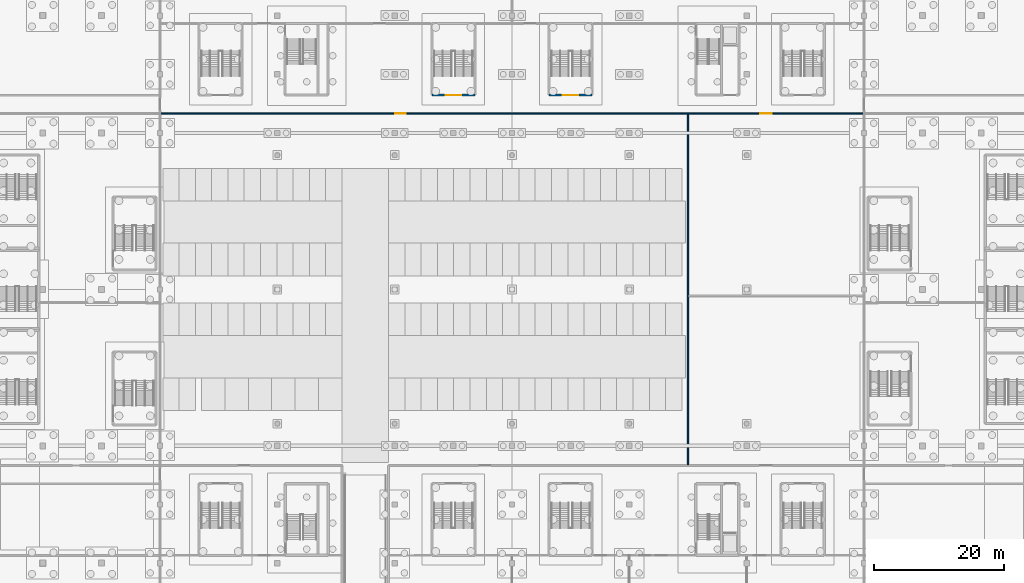
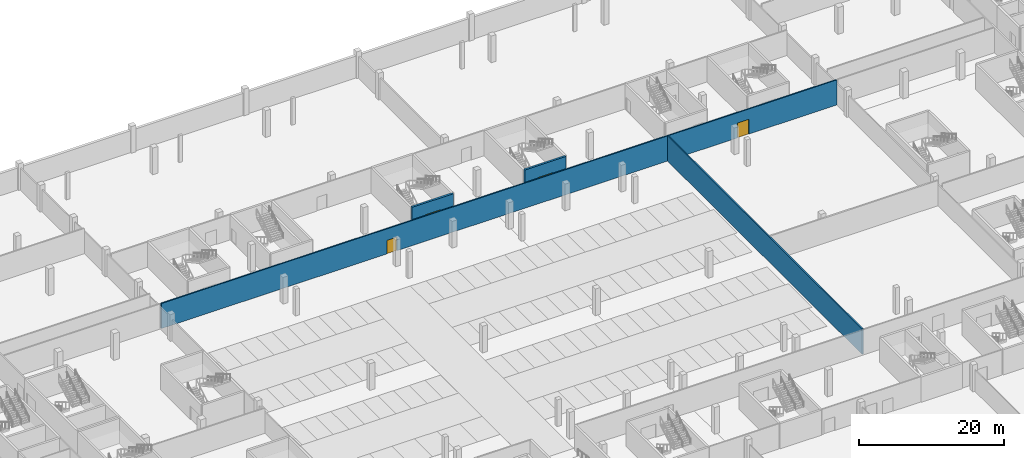
# One storey, part 19 of 46: 4 doors, 4 walls, 4 openings.
"""IFC4 building model written with IfcOpenShell, lengths in metres."""

from ifc_helpers import new_model, si_unit, direction, frame, frame_2d, origin, place, context, subcontext, project, spatial, rectangle, extrude, material, layer, layer_set, type_object, element, fill, save


model = new_model("IFC4")

# Units and contexts
model_context = context("Model", 3, precision=1e-05, world=origin(), true_north=direction((0.0, 1.0)))
body_context = subcontext(model_context, "Body", "Model", "MODEL_VIEW")
ifc_project = project(units=[si_unit("LENGTHUNIT", "METRE"), si_unit("AREAUNIT", "SQUARE_METRE"), si_unit("VOLUMEUNIT", "CUBIC_METRE"), si_unit("PLANEANGLEUNIT", "RADIAN"), si_unit("MASSUNIT", "GRAM", prefix="KILO")], contexts=[model_context])

# Site, building, storey
site_placement = place(None, origin())
site = spatial("IfcSite", under=ifc_project, at=site_placement, CompositionType="ELEMENT")
building_placement = place(site_placement, origin())
building = spatial("IfcBuilding", under=site, at=building_placement, Name="Kisiwana Market Hall", CompositionType="ELEMENT")
storey_placement = place(building_placement, frame((0.0, 0.0, -4.5)))
storey = spatial("IfcBuildingStorey", under=building, at=storey_placement, Name="B1", CompositionType="ELEMENT", Elevation=-4.5)

# Wall
ifc_material_1 = material(Name="Steel S275", Category="steel")
ifc_layer_1 = layer(ifc_material_1, 0.010009765625, Name="Food-grade steel inner skin")
ifc_material_2 = material(Name="PIR insulation")
ifc_layer_2 = layer(ifc_material_2, 0.199951171875, Name="High-density PIR thermal core")
ifc_material_3 = material(Name="Steel S275", Category="steel")
ifc_layer_3 = layer(ifc_material_3, 0.010009765625, Name="Food-grade steel outer skin")
ifc_layer_set_1 = layer_set([ifc_layer_1, ifc_layer_2, ifc_layer_3], Name="WL-COLD-220")
wall_type_1 = type_object("IfcWallType", Name="WL-COLD-220", PredefinedType="PARTITIONING", material=ifc_layer_set_1)
wall_1_placement = place(storey_placement, frame((126.0, 33.10009765625, 0.0), z_axis=(0.0, 0.0, 1.0), x_axis=(0.0, 1.0, 0.0)))
element("IfcWall", 1, at=wall_1_placement, inside=storey, type_object=wall_type_1, Name="Interior partition W-0280", PredefinedType="PARTITIONING", context=body_context, shape_type="SweptSolid", body=[
    extrude(rectangle(XDim=53.7998046875, YDim=0.219970703125, at=frame_2d((26.89990234375, 0.0))), origin(), (0.0, 0.0, 1.0), 4.239990234375),
])

# Wall, openings, doors
ifc_material_4 = material(Name="Masonry blockwork", Category="masonry")
ifc_layer_4 = layer(ifc_material_4, 0.199951171875, Name="Plastered fire compartment block wall")
ifc_layer_set_2 = layer_set([ifc_layer_4], Name="WL-COMP-200")
wall_type_2 = type_object("IfcWallType", Name="WL-COMP-200", PredefinedType="PARTITIONING", material=ifc_layer_set_2)
wall_2_placement = place(storey_placement, frame((45.0849609375, 87.0, 0.0), z_axis=(0.0, 0.0, 1.0), x_axis=(1.0, 0.0, 0.0)))
wall_2 = element("IfcWall", 2, at=wall_2_placement, inside=storey, type_object=wall_type_2, Name="Interior partition W-0284", PredefinedType="PARTITIONING", context=body_context, shape_type="SweptSolid", body=[
    extrude(rectangle(XDim=107.830078125, YDim=0.199951171875, at=frame_2d((53.9150390625, 0.0))), origin(), (0.0, 0.0, 1.0), 4.239990234375),
])
opening_1_placement = place(wall_2_placement, frame((36.0, 0.0, 0.0)))
opening_1 = element("IfcOpeningElement", 3, at=opening_1_placement, cuts=wall_2, Name="Opening DR-B1-088", PredefinedType="OPENING", context=body_context, shape_type="SweptSolid", body=[
    extrude(rectangle(XDim=1.60009765625, YDim=2.300048828125, at=frame_2d((0.800048828125, 1.14990234375))), frame((0.0, 0.11181640625, 0.0), z_axis=(0.0, -1.0, 0.0), x_axis=(1.0, 0.0, 0.0)), (0.0, 0.0, 1.0), 0.223876953125),
])
opening_2_placement = place(wall_2_placement, frame((92.0, 0.0, 0.0)))
opening_2 = element("IfcOpeningElement", 4, at=opening_2_placement, cuts=wall_2, Name="Opening DR-B1-089", PredefinedType="OPENING", context=body_context, shape_type="SweptSolid", body=[
    extrude(rectangle(XDim=1.800048828125, YDim=2.5, at=frame_2d((0.89990234375, 1.25))), frame((0.0, 0.11181640625, 0.0), z_axis=(0.0, -1.0, 0.0), x_axis=(1.0, 0.0, 0.0)), (0.0, 0.0, 1.0), 0.223876953125),
])
ifc_material_5 = material(Name="Steel S275", Category="steel")
door_type_1 = type_object("IfcDoorType", Name="DR-COLD-FD60-1800", OperationType="SLIDING_TO_LEFT", PredefinedType="DOOR", material=ifc_material_5)
door_1_placement = place(opening_2_placement, origin())
door_1 = element("IfcDoor", 5, at=door_1_placement, inside=storey, type_object=door_type_1, Name="B1 Chilled Seafood Cold Store Door", OperationType="SLIDING_TO_LEFT", OverallHeight=2.5, OverallWidth=1.800048828125, PredefinedType="DOOR", context=body_context, shape_type="SweptSolid", body=[
    extrude(rectangle(XDim=1.800048828125, YDim=2.5, at=frame_2d((0.89990234375, 1.25))), frame((0.0, 0.02490234375, 0.0), z_axis=(0.0, -1.0, 0.0), x_axis=(1.0, 0.0, 0.0)), (0.0, 0.0, 1.0), 0.050048828125),
])
fill(opening_2, door_1)
ifc_material_6 = material(Name="Steel S275", Category="steel")
door_type_2 = type_object("IfcDoorType", Name="DR-PLANT-FD120-1600", OperationType="DOUBLE_DOOR_SINGLE_SWING", PredefinedType="DOOR", material=ifc_material_6)
door_2_placement = place(opening_1_placement, frame((1.60009765625, 0.0, 0.0), z_axis=(0.0, 0.0, 1.0), x_axis=(-1.0, 0.0, 0.0)))
door_2 = element("IfcDoor", 6, at=door_2_placement, inside=storey, type_object=door_type_2, Name="B1 Car Park North Lobby Door", OperationType="DOUBLE_DOOR_SINGLE_SWING", OverallHeight=2.300048828125, OverallWidth=1.60009765625, PredefinedType="DOOR", context=body_context, shape_type="SweptSolid", body=[
    extrude(rectangle(XDim=1.60009765625, YDim=2.300048828125, at=frame_2d((0.800048828125, 1.14990234375))), frame((0.0, 0.02490234375, 0.0), z_axis=(0.0, -1.0, 0.0), x_axis=(1.0, 0.0, 0.0)), (0.0, 0.0, 1.0), 0.050048828125),
])
fill(opening_1, door_2)

# Wall, opening, door
ifc_material_7 = material(Name="Concrete C40/50", Category="concrete")
ifc_layer_5 = layer(ifc_material_7, 0.320068359375, Name="Reinforced concrete shaft wall")
ifc_layer_set_3 = layer_set([ifc_layer_5], Name="WL-CORE-320")
wall_type_3 = type_object("IfcWallType", Name="WL-CORE-320", PredefinedType="SHEAR", material=ifc_layer_set_3)
wall_3_placement = place(storey_placement, frame((86.699951171875, 89.800048828125, 0.0), z_axis=(0.0, 0.0, 1.0), x_axis=(1.0, 0.0, 0.0)))
wall_3 = element("IfcWall", 7, at=wall_3_placement, inside=storey, type_object=wall_type_3, Name="Core N4 corridor shear wall W-0135", PredefinedType="SHEAR", context=body_context, shape_type="SweptSolid", body=[
    extrude(rectangle(XDim=6.60009765625, YDim=0.320068359375, at=frame_2d((3.300048828125, 0.0))), origin(), (0.0, 0.0, 1.0), 4.239990234375),
])
opening_3_placement = place(wall_3_placement, frame((2.10009765625, 0.0, 0.0)))
opening_3 = element("IfcOpeningElement", 8, at=opening_3_placement, cuts=wall_3, Name="Opening DR-B1-036", PredefinedType="OPENING", context=body_context, shape_type="SweptSolid", body=[
    extrude(rectangle(XDim=2.39990234375, YDim=2.25, at=frame_2d((1.199951171875, 1.125))), frame((0.0, 0.171875, 0.0), z_axis=(0.0, -1.0, 0.0), x_axis=(1.0, 0.0, 0.0)), (0.0, 0.0, 1.0), 0.343994140625),
])
ifc_material_8 = material(Name="Steel S275", Category="steel")
door_type_3 = type_object("IfcDoorType", Name="DR-STAIR-FD120-2400", OperationType="DOUBLE_DOOR_SINGLE_SWING", PredefinedType="DOOR", material=ifc_material_8)
door_3_placement = place(opening_3_placement, origin())
door_3 = element("IfcDoor", 9, at=door_3_placement, inside=storey, type_object=door_type_3, Name="Escape Stair N4 Fire Door (B1)", OperationType="DOUBLE_DOOR_SINGLE_SWING", OverallHeight=2.25, OverallWidth=2.39990234375, PredefinedType="DOOR", context=body_context, shape_type="SweptSolid", body=[
    extrude(rectangle(XDim=2.39990234375, YDim=2.25, at=frame_2d((1.199951171875, 1.125))), frame((0.0, 0.02490234375, 0.0), z_axis=(0.0, -1.0, 0.0), x_axis=(1.0, 0.0, 0.0)), (0.0, 0.0, 1.0), 0.050048828125),
])
fill(opening_3, door_3)

wall_4_placement = place(storey_placement, frame((104.699951171875, 89.800048828125, 0.0), z_axis=(0.0, 0.0, 1.0), x_axis=(1.0, 0.0, 0.0)))
wall_4 = element("IfcWall", 10, at=wall_4_placement, inside=storey, type_object=wall_type_3, Name="Core N5 corridor shear wall W-0143", PredefinedType="SHEAR", context=body_context, shape_type="SweptSolid", body=[
    extrude(rectangle(XDim=6.60009765625, YDim=0.320068359375, at=frame_2d((3.300048828125, 0.0))), origin(), (0.0, 0.0, 1.0), 4.239990234375),
])
opening_4_placement = place(wall_4_placement, frame((2.10009765625, 0.0, 0.0)))
opening_4 = element("IfcOpeningElement", 11, at=opening_4_placement, cuts=wall_4, Name="Opening DR-B1-038", PredefinedType="OPENING", context=body_context, shape_type="SweptSolid", body=[
    extrude(rectangle(XDim=2.39990234375, YDim=2.25, at=frame_2d((1.199951171875, 1.125))), frame((0.0, 0.171875, 0.0), z_axis=(0.0, -1.0, 0.0), x_axis=(1.0, 0.0, 0.0)), (0.0, 0.0, 1.0), 0.343994140625),
])
door_4_placement = place(opening_4_placement, origin())
door_4 = element("IfcDoor", 12, at=door_4_placement, inside=storey, type_object=door_type_3, Name="Escape Stair N5 Fire Door (B1)", OperationType="DOUBLE_DOOR_SINGLE_SWING", OverallHeight=2.25, OverallWidth=2.39990234375, PredefinedType="DOOR", context=body_context, shape_type="SweptSolid", body=[
    extrude(rectangle(XDim=2.39990234375, YDim=2.25, at=frame_2d((1.199951171875, 1.125))), frame((0.0, 0.02490234375, 0.0), z_axis=(0.0, -1.0, 0.0), x_axis=(1.0, 0.0, 0.0)), (0.0, 0.0, 1.0), 0.050048828125),
])
fill(opening_4, door_4)

save(model, "model.ifc")
